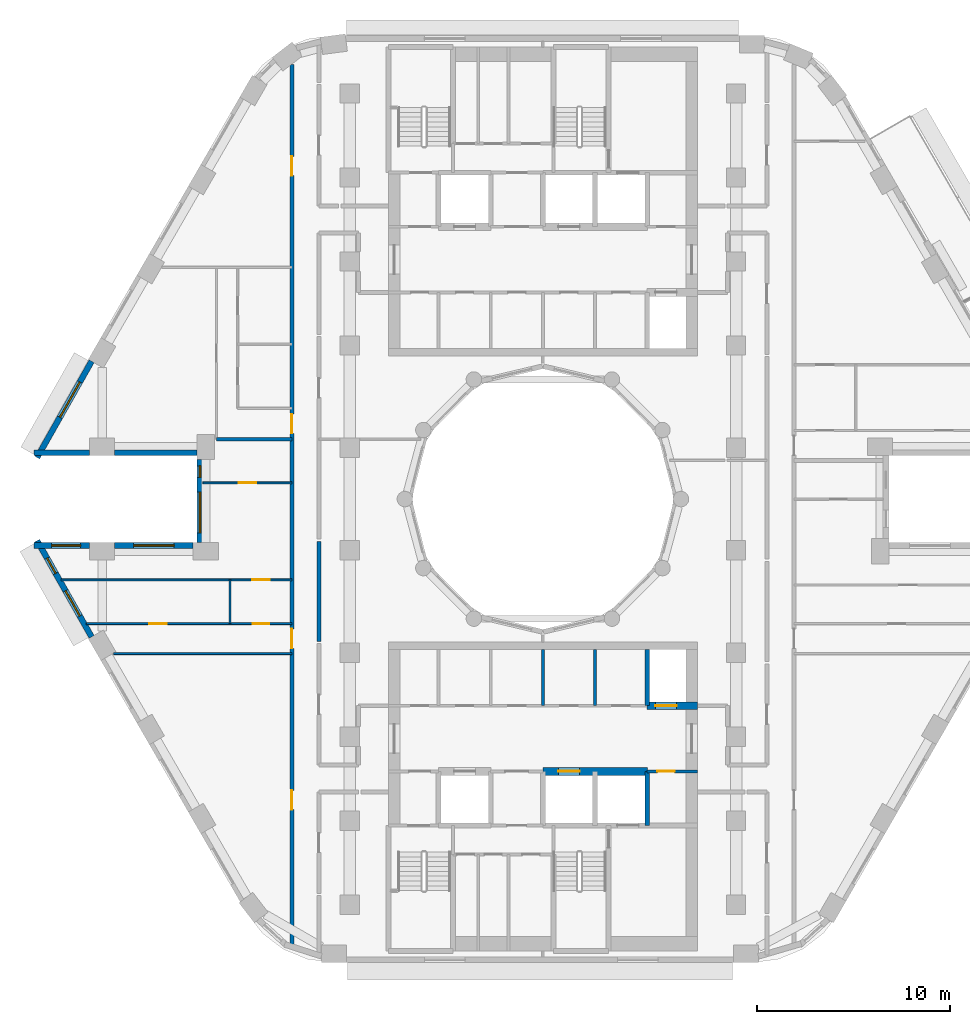
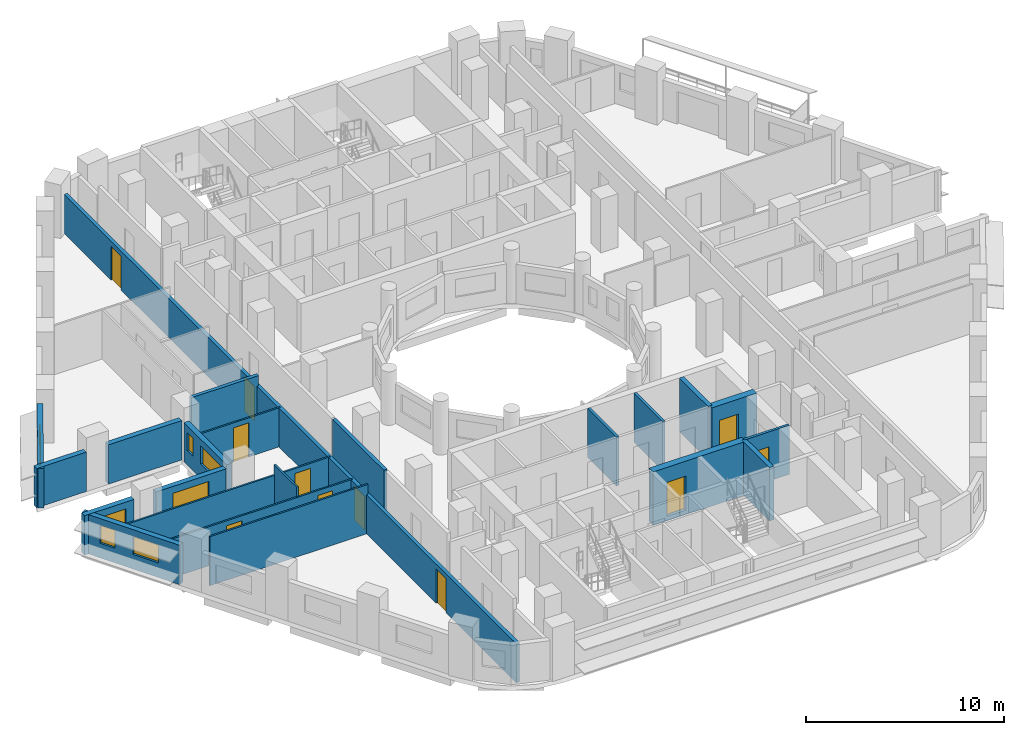
# One storey, part 4 of 14: 22 walls, 11 doors, 7 windows, 18 openings.
"""IFC4 building model written with IfcOpenShell, lengths in metres."""

from ifc_helpers import new_model, si_unit, direction, frame, frame_2d, origin, place, context, subcontext, project, spatial, rectangle, extrude, material, layer, layer_set, type_object, element, fill, save


model = new_model("IFC4")

# Units and contexts
model_context = context("Model", 3, precision=1e-05, world=origin(), true_north=direction((0.0, 1.0)))
body_context = subcontext(model_context, "Body", "Model", "MODEL_VIEW")
ifc_project = project(units=[si_unit("LENGTHUNIT", "METRE"), si_unit("AREAUNIT", "SQUARE_METRE"), si_unit("VOLUMEUNIT", "CUBIC_METRE"), si_unit("PLANEANGLEUNIT", "RADIAN"), si_unit("MASSUNIT", "GRAM", prefix="KILO")], contexts=[model_context])

# Site, building, storey
site_placement = place(None, origin())
site = spatial("IfcSite", under=ifc_project, at=site_placement, CompositionType="ELEMENT")
building_placement = place(site_placement, origin())
building = spatial("IfcBuilding", under=site, at=building_placement, Name="Nakaniwa Court", CompositionType="ELEMENT")
storey_placement = place(building_placement, frame((0.0, 0.0, 163.5)))
storey = spatial("IfcBuildingStorey", under=building, at=storey_placement, Name="L43", CompositionType="ELEMENT", Elevation=163.5)

# Wall
ifc_material_1 = material(Name="Acoustic double stud partition")
ifc_layer_1 = layer(ifc_material_1, 0.199951171875)
ifc_layer_set_1 = layer_set([ifc_layer_1], Name="Acoustic double stud partition")
wall_type_1 = type_object("IfcWallType", Name="Acoustic double stud partition 200", PredefinedType="PARTITIONING", material=ifc_layer_set_1)
wall_1_placement = place(storey_placement, frame((68.39990234375, 72.627197265625, 0.0), z_axis=(0.0, 0.0, 1.0), x_axis=(0.0, 1.0, 0.0)))
element("IfcWall", 1, at=wall_1_placement, inside=storey, type_object=wall_type_1, Name="Partition PW-105", PredefinedType="PARTITIONING", context=body_context, shape_type="SweptSolid", body=[
    extrude(rectangle(XDim=5.185546875, YDim=0.199951171875, at=frame_2d((2.5927734375, 0.0))), origin(), (0.0, 0.0, 1.0), 3.02490234375),
])

# Wall, openings, doors
wall_2_placement = place(storey_placement, frame((67.0, 56.833251953125, 0.0), z_axis=(0.0, 0.0, 1.0), x_axis=(0.0, 1.0, 0.0)))
wall_2 = element("IfcWall", 2, at=wall_2_placement, inside=storey, type_object=wall_type_1, Name="Partition PW-110", PredefinedType="PARTITIONING", context=body_context, shape_type="SweptSolid", body=[
    extrude(rectangle(XDim=45.660888671875, YDim=0.199951171875, at=frame_2d((22.83056640625, 0.0))), origin(), (0.0, 0.0, 1.0), 2.405029296875),
])
opening_1_placement = place(wall_2_placement, frame((7.083984375, 0.0, 0.0)))
opening_1 = element("IfcOpeningElement", 3, at=opening_1_placement, cuts=wall_2, Name="Opening D-02-05", PredefinedType="OPENING", context=body_context, shape_type="SweptSolid", body=[
    extrude(rectangle(XDim=1.0, YDim=2.10009765625, at=frame_2d((0.5, 1.050048828125))), frame((0.0, 0.10986328125, 0.0), z_axis=(0.0, -1.0, 0.0), x_axis=(1.0, 0.0, 0.0)), (0.0, 0.0, 1.0), 0.219970703125),
])
opening_2_placement = place(wall_2_placement, frame((15.44189453125, 0.0, 0.0)))
opening_2 = element("IfcOpeningElement", 4, at=opening_2_placement, cuts=wall_2, Name="Opening D-01-03", PredefinedType="OPENING", context=body_context, shape_type="SweptSolid", body=[
    extrude(rectangle(XDim=1.0, YDim=2.10009765625, at=frame_2d((0.5, 1.050048828125))), frame((0.0, 0.10986328125, 0.0), z_axis=(0.0, -1.0, 0.0), x_axis=(1.0, 0.0, 0.0)), (0.0, 0.0, 1.0), 0.219970703125),
])
opening_3_placement = place(wall_2_placement, frame((26.56689453125, 0.0, 0.0)))
opening_3 = element("IfcOpeningElement", 5, at=opening_3_placement, cuts=wall_2, Name="Opening D-01-04", PredefinedType="OPENING", context=body_context, shape_type="SweptSolid", body=[
    extrude(rectangle(XDim=1.0, YDim=2.10009765625, at=frame_2d((0.5, 1.050048828125))), frame((0.0, 0.10986328125, 0.0), z_axis=(0.0, -1.0, 0.0), x_axis=(1.0, 0.0, 0.0)), (0.0, 0.0, 1.0), 0.219970703125),
])
opening_4_placement = place(wall_2_placement, frame((39.912109375, 0.0, 0.0)))
opening_4 = element("IfcOpeningElement", 6, at=opening_4_placement, cuts=wall_2, Name="Opening D-02-10", PredefinedType="OPENING", context=body_context, shape_type="SweptSolid", body=[
    extrude(rectangle(XDim=1.0, YDim=2.10009765625, at=frame_2d((0.5, 1.050048828125))), frame((0.0, 0.10986328125, 0.0), z_axis=(0.0, -1.0, 0.0), x_axis=(1.0, 0.0, 0.0)), (0.0, 0.0, 1.0), 0.219970703125),
])
ifc_material_2 = material(Name="Solid core timber door set, black veneer", Category="wood")
door_type_1 = type_object("IfcDoorType", Name="Flat entrance door 1000", OperationType="NOTDEFINED", PredefinedType="DOOR", material=ifc_material_2)
door_1_placement = place(opening_2_placement, origin())
door_1 = element("IfcDoor", 7, at=door_1_placement, inside=storey, type_object=door_type_1, Name="Door D-01-03 L43-044", OperationType="SINGLE_SWING_LEFT", OverallHeight=2.10009765625, OverallWidth=1.0, PredefinedType="DOOR", context=body_context, shape_type="SweptSolid", body=[
    extrude(rectangle(XDim=1.0, YDim=2.10009765625, at=frame_2d((0.5, 1.050048828125))), frame((0.0, 0.02490234375, 0.0), z_axis=(0.0, -1.0, 0.0), x_axis=(1.0, 0.0, 0.0)), (0.0, 0.0, 1.0), 0.050048828125),
])
fill(opening_2, door_1)
door_2_placement = place(opening_3_placement, origin())
door_2 = element("IfcDoor", 8, at=door_2_placement, inside=storey, type_object=door_type_1, Name="Door D-01-04 L43-049", OperationType="SINGLE_SWING_RIGHT", OverallHeight=2.10009765625, OverallWidth=1.0, PredefinedType="DOOR", context=body_context, shape_type="SweptSolid", body=[
    extrude(rectangle(XDim=1.0, YDim=2.10009765625, at=frame_2d((0.5, 1.050048828125))), frame((0.0, 0.02490234375, 0.0), z_axis=(0.0, -1.0, 0.0), x_axis=(1.0, 0.0, 0.0)), (0.0, 0.0, 1.0), 0.050048828125),
])
fill(opening_3, door_2)
door_type_2 = type_object("IfcDoorType", Name="Internal door 1000", OperationType="NOTDEFINED", PredefinedType="DOOR", material=ifc_material_2)
door_3_placement = place(opening_1_placement, origin())
door_3 = element("IfcDoor", 9, at=door_3_placement, inside=storey, type_object=door_type_2, Name="Door D-02-05 L43-042", OperationType="SINGLE_SWING_LEFT", OverallHeight=2.10009765625, OverallWidth=1.0, PredefinedType="DOOR", context=body_context, shape_type="SweptSolid", body=[
    extrude(rectangle(XDim=1.0, YDim=2.10009765625, at=frame_2d((0.5, 1.050048828125))), frame((0.0, 0.02490234375, 0.0), z_axis=(0.0, -1.0, 0.0), x_axis=(1.0, 0.0, 0.0)), (0.0, 0.0, 1.0), 0.050048828125),
])
fill(opening_1, door_3)
door_4_placement = place(opening_4_placement, origin())
door_4 = element("IfcDoor", 10, at=door_4_placement, inside=storey, type_object=door_type_2, Name="Door D-02-10 L43-056", OperationType="SINGLE_SWING_LEFT", OverallHeight=2.10009765625, OverallWidth=1.0, PredefinedType="DOOR", context=body_context, shape_type="SweptSolid", body=[
    extrude(rectangle(XDim=1.0, YDim=2.10009765625, at=frame_2d((0.5, 1.050048828125))), frame((0.0, 0.02490234375, 0.0), z_axis=(0.0, -1.0, 0.0), x_axis=(1.0, 0.0, 0.0)), (0.0, 0.0, 1.0), 0.050048828125),
])
fill(opening_4, door_4)

# Wall
wall_3_placement = place(storey_placement, frame((63.095947265625, 83.10009765625, 0.0), z_axis=(0.0, 0.0, 1.0), x_axis=(1.0, 0.0, 0.0)))
element("IfcWall", 11, at=wall_3_placement, inside=storey, type_object=wall_type_1, Name="Partition PW-137", PredefinedType="PARTITIONING", context=body_context, shape_type="SweptSolid", body=[
    extrude(rectangle(XDim=3.903076171875, YDim=0.199951171875, at=frame_2d((1.95166015625, 0.0))), origin(), (0.0, 0.0, 1.0), 3.02490234375),
])

# Wall, opening, window
ifc_material_3 = material(Name="Charcoal ceramic cladding")
ifc_layer_2 = layer(ifc_material_3, 0.02, Name="Ceramic cladding")
ifc_material_4 = material(Name="Ventilated air cavity")
ifc_layer_3 = layer(ifc_material_4, 0.04, ventilated=True, Name="Ventilated cavity")
ifc_material_5 = material(Name="Mineral wool insulation")
ifc_layer_4 = layer(ifc_material_5, 0.1, Name="Insulation")
ifc_material_6 = material(Name="Cement bonded sheathing board")
ifc_layer_5 = layer(ifc_material_6, 0.012, Name="Sheathing")
ifc_material_7 = material(Name="Cold-formed galvanised stud frame with mineral wool infill")
ifc_layer_6 = layer(ifc_material_7, 0.1, Name="Stud frame")
ifc_material_8 = material(Name="Fire-rated gypsum plasterboard lining")
ifc_layer_7 = layer(ifc_material_8, 0.028, Name="Lining")
ifc_layer_set_2 = layer_set([ifc_layer_2, ifc_layer_3, ifc_layer_4, ifc_layer_5, ifc_layer_6, ifc_layer_7], Name="Charcoal ceramic faced external wall system")
wall_type_2 = type_object("IfcWallType", Name="Black ceramic faced external wall 300", PredefinedType="SOLIDWALL", material=ifc_layer_set_2)
wall_4_placement = place(storey_placement, frame((56.63427734375, 87.13720703125, 0.0), z_axis=(0.0, 0.0, 1.0), x_axis=(-0.492498306264, -0.87031340236, 0.0)))
wall_4 = element("IfcWall", 12, at=wall_4_placement, inside=storey, type_object=wall_type_2, Name="L43 external wall 14", PredefinedType="SOLIDWALL", context=body_context, shape_type="SweptSolid", body=[
    extrude(rectangle(XDim=5.7265625, YDim=0.300048828125, at=frame_2d((2.86328125, 0.0))), origin(), (0.0, 0.0, 1.0), 2.425048828125),
])
opening_5_placement = place(wall_4_placement, frame((1.23388671875, 0.0, 0.89990234375)))
opening_5 = element("IfcOpeningElement", 13, at=opening_5_placement, cuts=wall_4, Name="Opening W7.12", PredefinedType="OPENING", context=body_context, shape_type="SweptSolid", body=[
    extrude(rectangle(XDim=2.10009765625, YDim=1.10009765625, at=frame_2d((1.050048828125, 0.550048828125))), frame((0.0, 0.159912109375, 0.0), z_axis=(0.0, -1.0, 0.0), x_axis=(1.0, 0.0, 0.0)), (0.0, 0.0, 1.0), 0.320068359375),
])
ifc_material_9 = material(Name="Black anodised aluminium frame with dark low-E laminated double glazing", Category="aluminium")
window_type_1 = type_object("IfcWindowType", Name="Dark glass window 2100x1100 sill 900", PartitioningType="SINGLE_PANEL", PredefinedType="WINDOW", material=ifc_material_9)
window_1_placement = place(opening_5_placement, origin())
window_1 = element("IfcWindow", 14, at=window_1_placement, inside=storey, type_object=window_type_1, Name="L43 living window 14-0", OverallHeight=1.10009765625, OverallWidth=2.10009765625, PartitioningType="SINGLE_PANEL", PredefinedType="WINDOW", context=body_context, shape_type="SweptSolid", body=[
    extrude(rectangle(XDim=2.10009765625, YDim=1.10009765625, at=frame_2d((1.050048828125, 0.550048828125))), frame((0.0, 0.030029296875, 0.0), z_axis=(0.0, -1.0, 0.0), x_axis=(1.0, 0.0, 0.0)), (0.0, 0.0, 1.0), 0.06005859375),
])
fill(opening_5, window_1)

# Walls
wall_5_placement = place(storey_placement, frame((53.643310546875, 82.39990234375, 0.0), z_axis=(0.0, 0.0, 1.0), x_axis=(1.0, 0.0, 0.0)))
element("IfcWall", 15, at=wall_5_placement, inside=storey, type_object=wall_type_2, Name="L43 external wall 15", PredefinedType="SOLIDWALL", context=body_context, shape_type="SweptSolid", body=[
    extrude(rectangle(XDim=2.8876953125, YDim=0.300048828125, at=frame_2d((1.44384765625, 0.0))), origin(), (0.0, 0.0, 1.0), 2.425048828125),
])
wall_6_placement = place(storey_placement, frame((57.822998046875, 82.39990234375, 0.0), z_axis=(0.0, 0.0, 1.0), x_axis=(1.0, 0.0, 0.0)))
element("IfcWall", 16, at=wall_6_placement, inside=storey, type_object=wall_type_2, Name="L43 external wall 16", PredefinedType="SOLIDWALL", context=body_context, shape_type="SweptSolid", body=[
    extrude(rectangle(XDim=4.272705078125, YDim=0.300048828125, at=frame_2d((2.13623046875, 0.0))), origin(), (0.0, 0.0, 1.0), 2.425048828125),
])

# Wall, openings, windows
wall_7_placement = place(storey_placement, frame((62.24169921875, 82.053955078125, 0.0), z_axis=(0.0, 0.0, 1.0), x_axis=(0.0, -1.0, 0.0)))
wall_7 = element("IfcWall", 17, at=wall_7_placement, inside=storey, type_object=wall_type_2, Name="L43 external wall 17", PredefinedType="SOLIDWALL", context=body_context, shape_type="SweptSolid", body=[
    extrude(rectangle(XDim=4.307861328125, YDim=0.300048828125, at=frame_2d((2.15380859375, 0.0))), origin(), (0.0, 0.0, 1.0), 2.425048828125),
])
opening_6_placement = place(wall_7_placement, frame((0.3330078125, 0.0, 0.89990234375)))
opening_6 = element("IfcOpeningElement", 18, at=opening_6_placement, cuts=wall_7, Name="Opening W8.13", PredefinedType="OPENING", context=body_context, shape_type="SweptSolid", body=[
    extrude(rectangle(XDim=0.60009765625, YDim=1.10009765625, at=frame_2d((0.300048828125, 0.550048828125))), frame((0.0, 0.159912109375, 0.0), z_axis=(0.0, -1.0, 0.0), x_axis=(1.0, 0.0, 0.0)), (0.0, 0.0, 1.0), 0.320068359375),
])
opening_7_placement = place(wall_7_placement, frame((1.699951171875, 0.0, 0.89990234375)))
opening_7 = element("IfcOpeningElement", 19, at=opening_7_placement, cuts=wall_7, Name="Opening W7.14", PredefinedType="OPENING", context=body_context, shape_type="SweptSolid", body=[
    extrude(rectangle(XDim=2.10009765625, YDim=1.10009765625, at=frame_2d((1.050048828125, 0.550048828125))), frame((0.0, 0.159912109375, 0.0), z_axis=(0.0, -1.0, 0.0), x_axis=(1.0, 0.0, 0.0)), (0.0, 0.0, 1.0), 0.320068359375),
])
window_2_placement = place(opening_7_placement, origin())
window_2 = element("IfcWindow", 20, at=window_2_placement, inside=storey, type_object=window_type_1, Name="L43 living window 17-1", OverallHeight=1.10009765625, OverallWidth=2.10009765625, PartitioningType="SINGLE_PANEL", PredefinedType="WINDOW", context=body_context, shape_type="SweptSolid", body=[
    extrude(rectangle(XDim=2.10009765625, YDim=1.10009765625, at=frame_2d((1.050048828125, 0.550048828125))), frame((0.0, 0.030029296875, 0.0), z_axis=(0.0, -1.0, 0.0), x_axis=(1.0, 0.0, 0.0)), (0.0, 0.0, 1.0), 0.06005859375),
])
fill(opening_7, window_2)
window_type_2 = type_object("IfcWindowType", Name="Dark glass window 600x1100 sill 900", PartitioningType="SINGLE_PANEL", PredefinedType="WINDOW", material=ifc_material_9)
window_3_placement = place(opening_6_placement, origin())
window_3 = element("IfcWindow", 21, at=window_3_placement, inside=storey, type_object=window_type_2, Name="L43 habitable room window 17-0", OverallHeight=1.10009765625, OverallWidth=0.60009765625, PartitioningType="SINGLE_PANEL", PredefinedType="WINDOW", context=body_context, shape_type="SweptSolid", body=[
    extrude(rectangle(XDim=0.60009765625, YDim=1.10009765625, at=frame_2d((0.300048828125, 0.550048828125))), frame((0.0, 0.030029296875, 0.0), z_axis=(0.0, -1.0, 0.0), x_axis=(1.0, 0.0, 0.0)), (0.0, 0.0, 1.0), 0.06005859375),
])
fill(opening_6, window_3)

# Wall, opening, window
wall_8_placement = place(storey_placement, frame((61.8955078125, 77.60009765625, 0.0), z_axis=(0.0, 0.0, 1.0), x_axis=(-1.0, 0.0, 0.0)))
wall_8 = element("IfcWall", 22, at=wall_8_placement, inside=storey, type_object=wall_type_2, Name="L43 external wall 18", PredefinedType="SOLIDWALL", context=body_context, shape_type="SweptSolid", body=[
    extrude(rectangle(XDim=4.072509765625, YDim=0.300048828125, at=frame_2d((2.0361328125, 0.0))), origin(), (0.0, 0.0, 1.0), 2.425048828125),
])
opening_8_placement = place(wall_8_placement, frame((0.986083984375, 0.0, 0.89990234375)))
opening_8 = element("IfcOpeningElement", 23, at=opening_8_placement, cuts=wall_8, Name="Opening W7.15", PredefinedType="OPENING", context=body_context, shape_type="SweptSolid", body=[
    extrude(rectangle(XDim=2.10009765625, YDim=1.10009765625, at=frame_2d((1.050048828125, 0.550048828125))), frame((0.0, 0.159912109375, 0.0), z_axis=(0.0, -1.0, 0.0), x_axis=(1.0, 0.0, 0.0)), (0.0, 0.0, 1.0), 0.320068359375),
])
window_4_placement = place(opening_8_placement, origin())
window_4 = element("IfcWindow", 24, at=window_4_placement, inside=storey, type_object=window_type_1, Name="L43 living window 18-0", OverallHeight=1.10009765625, OverallWidth=2.10009765625, PartitioningType="SINGLE_PANEL", PredefinedType="WINDOW", context=body_context, shape_type="SweptSolid", body=[
    extrude(rectangle(XDim=2.10009765625, YDim=1.10009765625, at=frame_2d((1.050048828125, 0.550048828125))), frame((0.0, 0.030029296875, 0.0), z_axis=(0.0, -1.0, 0.0), x_axis=(1.0, 0.0, 0.0)), (0.0, 0.0, 1.0), 0.06005859375),
])
fill(opening_8, window_4)

wall_9_placement = place(storey_placement, frame((56.531005859375, 77.60009765625, 0.0), z_axis=(0.0, 0.0, 1.0), x_axis=(-1.0, 0.0, 0.0)))
wall_9 = element("IfcWall", 25, at=wall_9_placement, inside=storey, type_object=wall_type_2, Name="L43 external wall 19", PredefinedType="SOLIDWALL", context=body_context, shape_type="SweptSolid", body=[
    extrude(rectangle(XDim=2.8876953125, YDim=0.300048828125, at=frame_2d((1.44384765625, 0.0))), origin(), (0.0, 0.0, 1.0), 2.425048828125),
])
opening_9_placement = place(wall_9_placement, frame((0.468994140625, 0.0, 0.89990234375)))
opening_9 = element("IfcOpeningElement", 26, at=opening_9_placement, cuts=wall_9, Name="Opening W5.16", PredefinedType="OPENING", context=body_context, shape_type="SweptSolid", body=[
    extrude(rectangle(XDim=1.5, YDim=1.10009765625, at=frame_2d((0.75, 0.550048828125))), frame((0.0, 0.159912109375, 0.0), z_axis=(0.0, -1.0, 0.0), x_axis=(1.0, 0.0, 0.0)), (0.0, 0.0, 1.0), 0.320068359375),
])
window_type_3 = type_object("IfcWindowType", Name="Dark glass window 1500x1100 sill 900", PartitioningType="SINGLE_PANEL", PredefinedType="WINDOW", material=ifc_material_9)
window_5_placement = place(opening_9_placement, origin())
window_5 = element("IfcWindow", 27, at=window_5_placement, inside=storey, type_object=window_type_3, Name="L43 living window 19-0", OverallHeight=1.10009765625, OverallWidth=1.5, PartitioningType="SINGLE_PANEL", PredefinedType="WINDOW", context=body_context, shape_type="SweptSolid", body=[
    extrude(rectangle(XDim=1.5, YDim=1.10009765625, at=frame_2d((0.75, 0.550048828125))), frame((0.0, 0.030029296875, 0.0), z_axis=(0.0, -1.0, 0.0), x_axis=(1.0, 0.0, 0.0)), (0.0, 0.0, 1.0), 0.06005859375),
])
fill(opening_9, window_5)

# Wall, openings, windows
wall_10_placement = place(storey_placement, frame((53.81396484375, 77.8466796875, 0.0), z_axis=(0.0, 0.0, 1.0), x_axis=(0.492498306264, -0.87031340236, 0.0)))
wall_10 = element("IfcWall", 28, at=wall_10_placement, inside=storey, type_object=wall_type_2, Name="L43 external wall 20", PredefinedType="SOLIDWALL", context=body_context, shape_type="SweptSolid", body=[
    extrude(rectangle(XDim=5.7265625, YDim=0.300048828125, at=frame_2d((2.86328125, 0.0))), origin(), (0.0, 0.0, 1.0), 2.425048828125),
])
opening_10_placement = place(wall_10_placement, frame((1.043212890625, 0.0, 0.89990234375)))
opening_10 = element("IfcOpeningElement", 29, at=opening_10_placement, cuts=wall_10, Name="Opening W9.17", PredefinedType="OPENING", context=body_context, shape_type="SweptSolid", body=[
    extrude(rectangle(XDim=0.89990234375, YDim=1.10009765625, at=frame_2d((0.449951171875, 0.550048828125))), frame((0.0, 0.159912109375, 0.0), z_axis=(0.0, -1.0, 0.0), x_axis=(1.0, 0.0, 0.0)), (0.0, 0.0, 1.0), 0.320068359375),
])
opening_11_placement = place(wall_10_placement, frame((2.983642578125, 0.0, 0.89990234375)))
opening_11 = element("IfcOpeningElement", 30, at=opening_11_placement, cuts=wall_10, Name="Opening W5.18", PredefinedType="OPENING", context=body_context, shape_type="SweptSolid", body=[
    extrude(rectangle(XDim=1.5, YDim=1.10009765625, at=frame_2d((0.75, 0.550048828125))), frame((0.0, 0.159912109375, 0.0), z_axis=(0.0, -1.0, 0.0), x_axis=(1.0, 0.0, 0.0)), (0.0, 0.0, 1.0), 0.320068359375),
])
window_6_placement = place(opening_11_placement, origin())
window_6 = element("IfcWindow", 31, at=window_6_placement, inside=storey, type_object=window_type_3, Name="L43 habitable room window 20-1", OverallHeight=1.10009765625, OverallWidth=1.5, PartitioningType="SINGLE_PANEL", PredefinedType="WINDOW", context=body_context, shape_type="SweptSolid", body=[
    extrude(rectangle(XDim=1.5, YDim=1.10009765625, at=frame_2d((0.75, 0.550048828125))), frame((0.0, 0.030029296875, 0.0), z_axis=(0.0, -1.0, 0.0), x_axis=(1.0, 0.0, 0.0)), (0.0, 0.0, 1.0), 0.06005859375),
])
fill(opening_11, window_6)
window_type_4 = type_object("IfcWindowType", Name="Dark glass window 900x1100 sill 900", PartitioningType="SINGLE_PANEL", PredefinedType="WINDOW", material=ifc_material_9)
window_7_placement = place(opening_10_placement, origin())
window_7 = element("IfcWindow", 32, at=window_7_placement, inside=storey, type_object=window_type_4, Name="L43 living window 20-0", OverallHeight=1.10009765625, OverallWidth=0.89990234375, PartitioningType="SINGLE_PANEL", PredefinedType="WINDOW", context=body_context, shape_type="SweptSolid", body=[
    extrude(rectangle(XDim=0.89990234375, YDim=1.10009765625, at=frame_2d((0.449951171875, 0.550048828125))), frame((0.0, 0.030029296875, 0.0), z_axis=(0.0, -1.0, 0.0), x_axis=(1.0, 0.0, 0.0)), (0.0, 0.0, 1.0), 0.06005859375),
])
fill(opening_10, window_7)

# Walls
ifc_material_10 = material(Name="Blockwork partition", Category="masonry")
ifc_layer_8 = layer(ifc_material_10, 0.14990234375)
ifc_layer_set_3 = layer_set([ifc_layer_8], Name="Blockwork partition")
wall_type_3 = type_object("IfcWallType", Name="Blockwork partition 150", PredefinedType="PARTITIONING", material=ifc_layer_set_3)
for number, where, z_axis, x_axis, name in (
    (33, (80.0, 69.300048828125, 0.0), (0.0, 0.0, 1.0), (0.0, 1.0, 0.0), "Partition PW-045"),
    (34, (82.699951171875, 69.300048828125, 0.0), (0.0, 0.0, 1.0), (0.0, 1.0, 0.0), "Partition PW-046"),
):
    element("IfcWall", number, at=place(storey_placement, frame(where, z_axis=z_axis, x_axis=x_axis)), inside=storey, type_object=wall_type_3, Name=name, PredefinedType="PARTITIONING", context=body_context, shape_type="SweptSolid", body=[
        extrude(rectangle(XDim=2.89990234375, YDim=0.14990234375, at=frame_2d((1.449951171875, 0.0))), origin(), (0.0, 0.0, 1.0), 3.02490234375),
    ])

# Wall, opening, door
wall_11_placement = place(storey_placement, frame((88.0, 65.89990234375, 0.0), z_axis=(0.0, 0.0, 1.0), x_axis=(-1.0, 0.0, 0.0)))
wall_11 = element("IfcWall", 35, at=wall_11_placement, inside=storey, type_object=wall_type_3, Name="Partition PW-049", PredefinedType="PARTITIONING", context=body_context, shape_type="SweptSolid", body=[
    extrude(rectangle(XDim=2.60302734375, YDim=0.14990234375, at=frame_2d((1.301513671875, 0.0))), origin(), (0.0, 0.0, 1.0), 3.02490234375),
])
opening_12_placement = place(wall_11_placement, frame((1.175048828125, 0.0, 0.0)))
opening_12 = element("IfcOpeningElement", 36, at=opening_12_placement, cuts=wall_11, Name="Opening D-05-15", PredefinedType="OPENING", context=body_context, shape_type="SweptSolid", body=[
    extrude(rectangle(XDim=0.89990234375, YDim=2.10009765625, at=frame_2d((0.449951171875, 1.050048828125))), frame((0.0, 0.0849609375, 0.0), z_axis=(0.0, -1.0, 0.0), x_axis=(1.0, 0.0, 0.0)), (0.0, 0.0, 1.0), 0.169921875),
])
ifc_material_11 = material(Name="Fire rated steel door set", Category="steel")
door_type_3 = type_object("IfcDoorType", Name="Service room door 900", OperationType="NOTDEFINED", PredefinedType="DOOR", material=ifc_material_11)
door_5_placement = place(opening_12_placement, origin())
door_5 = element("IfcDoor", 37, at=door_5_placement, inside=storey, type_object=door_type_3, Name="Door D-05-15 L43-022", OperationType="SINGLE_SWING_LEFT", OverallHeight=2.10009765625, OverallWidth=0.89990234375, PredefinedType="DOOR", context=body_context, shape_type="SweptSolid", body=[
    extrude(rectangle(XDim=0.89990234375, YDim=2.10009765625, at=frame_2d((0.449951171875, 1.050048828125))), frame((0.0, 0.02490234375, 0.0), z_axis=(0.0, -1.0, 0.0), x_axis=(1.0, 0.0, 0.0)), (0.0, 0.0, 1.0), 0.050048828125),
])
fill(opening_12, door_5)

ifc_material_12 = material(Name="Concrete C80/100", Category="concrete")
ifc_layer_9 = layer(ifc_material_12, 0.39990234375)
ifc_layer_set_4 = layer_set([ifc_layer_9], Name="Concrete C80/100")
wall_type_4 = type_object("IfcWallType", Name="Concrete core spine wall 400 C80", PredefinedType="SHEAR", material=ifc_layer_set_4)
wall_12_placement = place(storey_placement, frame((85.39990234375, 69.300048828125, -0.27490234375), z_axis=(0.0, 0.0, 1.0), x_axis=(1.0, 0.0, 0.0)))
wall_12 = element("IfcWall", 38, at=wall_12_placement, inside=storey, type_object=wall_type_4, Name="Core wall SW-42", PredefinedType="SHEAR", context=body_context, shape_type="SweptSolid", body=[
    extrude(rectangle(XDim=2.60009765625, YDim=0.39990234375, at=frame_2d((1.300048828125, 0.0))), origin(), (0.0, 0.0, 1.0), 3.2998046875),
])
opening_13_placement = place(wall_12_placement, frame((0.425048828125, 0.0, 0.27490234375)))
opening_13 = element("IfcOpeningElement", 39, at=opening_13_placement, cuts=wall_12, Name="Opening LD05", PredefinedType="OPENING", context=body_context, shape_type="SweptSolid", body=[
    extrude(rectangle(XDim=1.10009765625, YDim=2.10009765625, at=frame_2d((0.550048828125, 1.050048828125))), frame((0.0, 0.2099609375, 0.0), z_axis=(0.0, -1.0, 0.0), x_axis=(1.0, 0.0, 0.0)), (0.0, 0.0, 1.0), 0.419921875),
])
ifc_material_13 = material(Name="Stainless steel sliding lift landing door", Category="steel")
door_type_4 = type_object("IfcDoorType", Name="Lift landing door 1100", OperationType="NOTDEFINED", PredefinedType="DOOR", material=ifc_material_13)
door_6_placement = place(opening_13_placement, origin())
door_6 = element("IfcDoor", 40, at=door_6_placement, inside=storey, type_object=door_type_4, Name="Lift landing door LD05 L43-005", OperationType="SLIDING_TO_LEFT", OverallHeight=2.10009765625, OverallWidth=1.10009765625, PredefinedType="DOOR", context=body_context, shape_type="SweptSolid", body=[
    extrude(rectangle(XDim=1.10009765625, YDim=2.10009765625, at=frame_2d((0.550048828125, 1.050048828125))), frame((0.0, 0.02490234375, 0.0), z_axis=(0.0, -1.0, 0.0), x_axis=(1.0, 0.0, 0.0)), (0.0, 0.0, 1.0), 0.050048828125),
])
fill(opening_13, door_6)

wall_13_placement = place(storey_placement, frame((79.9970703125, 65.89990234375, -0.27490234375), z_axis=(0.0, 0.0, 1.0), x_axis=(1.0, 0.0, 0.0)))
wall_13 = element("IfcWall", 41, at=wall_13_placement, inside=storey, type_object=wall_type_4, Name="Core wall SW-51", PredefinedType="SHEAR", context=body_context, shape_type="SweptSolid", body=[
    extrude(rectangle(XDim=5.406005859375, YDim=0.39990234375, at=frame_2d((2.703125, 0.0))), origin(), (0.0, 0.0, 1.0), 3.2998046875),
])
opening_14_placement = place(wall_13_placement, frame((0.802978515625, 0.0, 0.27490234375)))
opening_14 = element("IfcOpeningElement", 42, at=opening_14_placement, cuts=wall_13, Name="Opening LD07", PredefinedType="OPENING", context=body_context, shape_type="SweptSolid", body=[
    extrude(rectangle(XDim=1.10009765625, YDim=2.10009765625, at=frame_2d((0.550048828125, 1.050048828125))), frame((0.0, 0.2099609375, 0.0), z_axis=(0.0, -1.0, 0.0), x_axis=(1.0, 0.0, 0.0)), (0.0, 0.0, 1.0), 0.419921875),
])
door_7_placement = place(opening_14_placement, origin())
door_7 = element("IfcDoor", 43, at=door_7_placement, inside=storey, type_object=door_type_4, Name="Lift landing door LD07 L43-007", OperationType="SLIDING_TO_LEFT", OverallHeight=2.10009765625, OverallWidth=1.10009765625, PredefinedType="DOOR", context=body_context, shape_type="SweptSolid", body=[
    extrude(rectangle(XDim=1.10009765625, YDim=2.10009765625, at=frame_2d((0.550048828125, 1.050048828125))), frame((0.0, 0.02490234375, 0.0), z_axis=(0.0, -1.0, 0.0), x_axis=(1.0, 0.0, 0.0)), (0.0, 0.0, 1.0), 0.050048828125),
])
fill(opening_14, door_7)

# Walls
ifc_layer_10 = layer(ifc_material_12, 0.25)
ifc_layer_set_5 = layer_set([ifc_layer_10], Name="Concrete C80/100")
wall_type_5 = type_object("IfcWallType", Name="Concrete shaft wall 250 C80", PredefinedType="SHEAR", material=ifc_layer_set_5)
wall_14_placement = place(storey_placement, frame((85.39990234375, 63.10009765625, -0.27490234375), z_axis=(0.0, 0.0, 1.0), x_axis=(0.0, 1.0, 0.0)))
element("IfcWall", 44, at=wall_14_placement, inside=storey, type_object=wall_type_5, Name="Core wall SW-40", PredefinedType="SHEAR", context=body_context, shape_type="SweptSolid", body=[
    extrude(rectangle(XDim=2.7998046875, YDim=0.25, at=frame_2d((1.39990234375, 0.0))), origin(), (0.0, 0.0, 1.0), 3.2998046875),
])
wall_15_placement = place(storey_placement, frame((85.39990234375, 69.300048828125, -0.27490234375), z_axis=(0.0, 0.0, 1.0), x_axis=(0.0, 1.0, 0.0)))
element("IfcWall", 45, at=wall_15_placement, inside=storey, type_object=wall_type_5, Name="Core wall SW-41", PredefinedType="SHEAR", context=body_context, shape_type="SweptSolid", body=[
    extrude(rectangle(XDim=2.89990234375, YDim=0.25, at=frame_2d((1.449951171875, 0.0))), origin(), (0.0, 0.0, 1.0), 3.2998046875),
])
ifc_material_14 = material(Name="Single stud plasterboard partition")
ifc_layer_11 = layer(ifc_material_14, 0.10009765625)
ifc_layer_set_6 = layer_set([ifc_layer_11], Name="Single stud plasterboard partition")
wall_type_6 = type_object("IfcWallType", Name="Single stud plasterboard partition 100", PredefinedType="PARTITIONING", material=ifc_layer_set_6)
wall_16_placement = place(storey_placement, frame((57.771728515625, 72.0, 0.0), z_axis=(0.0, 0.0, 1.0), x_axis=(1.0, 0.0, 0.0)))
element("IfcWall", 46, at=wall_16_placement, inside=storey, type_object=wall_type_6, Name="Partition PW-119", PredefinedType="PARTITIONING", context=body_context, shape_type="SweptSolid", body=[
    extrude(rectangle(XDim=9.22705078125, YDim=0.10009765625, at=frame_2d((4.613525390625, 0.0))), origin(), (0.0, 0.0, 1.0), 3.02490234375),
])

# Wall, openings, doors
wall_17_placement = place(storey_placement, frame((56.357421875, 73.550048828125, 0.0), z_axis=(0.0, 0.0, 1.0), x_axis=(1.0, 0.0, 0.0)))
wall_17 = element("IfcWall", 47, at=wall_17_placement, inside=storey, type_object=wall_type_6, Name="Partition PW-123", PredefinedType="PARTITIONING", context=body_context, shape_type="SweptSolid", body=[
    extrude(rectangle(XDim=10.6416015625, YDim=0.10009765625, at=frame_2d((5.32080078125, 0.0))), origin(), (0.0, 0.0, 1.0), 2.405029296875),
])
opening_15_placement = place(wall_17_placement, frame((8.616943359375, 0.0, 0.0)))
opening_15 = element("IfcOpeningElement", 48, at=opening_15_placement, cuts=wall_17, Name="Opening D-03-03", PredefinedType="OPENING", context=body_context, shape_type="SweptSolid", body=[
    extrude(rectangle(XDim=0.85009765625, YDim=2.10009765625, at=frame_2d((0.425048828125, 1.050048828125))), frame((0.0, 0.06005859375, 0.0), z_axis=(0.0, -1.0, 0.0), x_axis=(1.0, 0.0, 0.0)), (0.0, 0.0, 1.0), 0.1201171875),
])
opening_16_placement = place(wall_17_placement, frame((3.27099609375, 0.0, 0.0)))
opening_16 = element("IfcOpeningElement", 49, at=opening_16_placement, cuts=wall_17, Name="Opening D-33-06", PredefinedType="OPENING", context=body_context, shape_type="SweptSolid", body=[
    extrude(rectangle(XDim=0.89990234375, YDim=2.10009765625, at=frame_2d((0.449951171875, 1.050048828125))), frame((0.0, 0.06005859375, 0.0), z_axis=(0.0, -1.0, 0.0), x_axis=(1.0, 0.0, 0.0)), (0.0, 0.0, 1.0), 0.1201171875),
])
ifc_material_15 = material(Name="Moisture sealed timber door set", Category="wood")
door_type_5 = type_object("IfcDoorType", Name="Bathroom door 850", OperationType="NOTDEFINED", PredefinedType="DOOR", material=ifc_material_15)
door_8_placement = place(opening_15_placement, origin())
door_8 = element("IfcDoor", 50, at=door_8_placement, inside=storey, type_object=door_type_5, Name="Door D-03-03 L43-045", OperationType="SINGLE_SWING_RIGHT", OverallHeight=2.10009765625, OverallWidth=0.85009765625, PredefinedType="DOOR", context=body_context, shape_type="SweptSolid", body=[
    extrude(rectangle(XDim=0.85009765625, YDim=2.10009765625, at=frame_2d((0.425048828125, 1.050048828125))), frame((0.0, 0.02490234375, 0.0), z_axis=(0.0, -1.0, 0.0), x_axis=(1.0, 0.0, 0.0)), (0.0, 0.0, 1.0), 0.050048828125),
])
fill(opening_15, door_8)
door_type_6 = type_object("IfcDoorType", Name="Internal door 900", OperationType="NOTDEFINED", PredefinedType="DOOR", material=ifc_material_2)
door_9_placement = place(opening_16_placement, origin())
door_9 = element("IfcDoor", 51, at=door_9_placement, inside=storey, type_object=door_type_6, Name="Door D-33-06 L43-046", OperationType="SINGLE_SWING_LEFT", OverallHeight=2.10009765625, OverallWidth=0.89990234375, PredefinedType="DOOR", context=body_context, shape_type="SweptSolid", body=[
    extrude(rectangle(XDim=0.89990234375, YDim=2.10009765625, at=frame_2d((0.449951171875, 1.050048828125))), frame((0.0, 0.02490234375, 0.0), z_axis=(0.0, -1.0, 0.0), x_axis=(1.0, 0.0, 0.0)), (0.0, 0.0, 1.0), 0.050048828125),
])
fill(opening_16, door_9)

# Wall
wall_18_placement = place(storey_placement, frame((63.799072265625, 73.550048828125, 0.0), z_axis=(0.0, 0.0, 1.0), x_axis=(0.0, 1.0, 0.0)))
element("IfcWall", 52, at=wall_18_placement, inside=storey, type_object=wall_type_6, Name="Partition PW-134", PredefinedType="PARTITIONING", context=body_context, shape_type="SweptSolid", body=[
    extrude(rectangle(XDim=2.26171875, YDim=0.10009765625, at=frame_2d((1.130859375, 0.0))), origin(), (0.0, 0.0, 1.0), 3.02490234375),
])

# Wall, opening, door
wall_19_placement = place(storey_placement, frame((55.051513671875, 75.81201171875, 0.0), z_axis=(0.0, 0.0, 1.0), x_axis=(1.0, 0.0, 0.0)))
wall_19 = element("IfcWall", 53, at=wall_19_placement, inside=storey, type_object=wall_type_6, Name="Partition PW-135", PredefinedType="PARTITIONING", context=body_context, shape_type="SweptSolid", body=[
    extrude(rectangle(XDim=11.947509765625, YDim=0.10009765625, at=frame_2d((5.9736328125, 0.0))), origin(), (0.0, 0.0, 1.0), 2.405029296875),
])
opening_17_placement = place(wall_19_placement, frame((9.89599609375, 0.0, 0.0)))
opening_17 = element("IfcOpeningElement", 54, at=opening_17_placement, cuts=wall_19, Name="Opening D-33-07", PredefinedType="OPENING", context=body_context, shape_type="SweptSolid", body=[
    extrude(rectangle(XDim=0.89990234375, YDim=2.10009765625, at=frame_2d((0.449951171875, 1.050048828125))), frame((0.0, 0.06005859375, 0.0), z_axis=(0.0, -1.0, 0.0), x_axis=(1.0, 0.0, 0.0)), (0.0, 0.0, 1.0), 0.1201171875),
])
door_10_placement = place(opening_17_placement, origin())
door_10 = element("IfcDoor", 55, at=door_10_placement, inside=storey, type_object=door_type_6, Name="Door D-33-07 L43-047", OperationType="SINGLE_SWING_RIGHT", OverallHeight=2.10009765625, OverallWidth=0.89990234375, PredefinedType="DOOR", context=body_context, shape_type="SweptSolid", body=[
    extrude(rectangle(XDim=0.89990234375, YDim=2.10009765625, at=frame_2d((0.449951171875, 1.050048828125))), frame((0.0, 0.02490234375, 0.0), z_axis=(0.0, -1.0, 0.0), x_axis=(1.0, 0.0, 0.0)), (0.0, 0.0, 1.0), 0.050048828125),
])
fill(opening_17, door_10)

wall_20_placement = place(storey_placement, frame((62.3916015625, 80.837890625, 0.0), z_axis=(0.0, 0.0, 1.0), x_axis=(1.0, 0.0, 0.0)))
wall_20 = element("IfcWall", 56, at=wall_20_placement, inside=storey, type_object=wall_type_6, Name="Partition PW-136", PredefinedType="PARTITIONING", context=body_context, shape_type="SweptSolid", body=[
    extrude(rectangle(XDim=4.607421875, YDim=0.10009765625, at=frame_2d((2.3037109375, 0.0))), origin(), (0.0, 0.0, 1.0), 2.405029296875),
])
opening_18_placement = place(wall_20_placement, frame((1.85400390625, 0.0, 0.0)))
opening_18 = element("IfcOpeningElement", 57, at=opening_18_placement, cuts=wall_20, Name="Opening D-33-08", PredefinedType="OPENING", context=body_context, shape_type="SweptSolid", body=[
    extrude(rectangle(XDim=0.89990234375, YDim=2.10009765625, at=frame_2d((0.449951171875, 1.050048828125))), frame((0.0, 0.06005859375, 0.0), z_axis=(0.0, -1.0, 0.0), x_axis=(1.0, 0.0, 0.0)), (0.0, 0.0, 1.0), 0.1201171875),
])
door_11_placement = place(opening_18_placement, origin())
door_11 = element("IfcDoor", 58, at=door_11_placement, inside=storey, type_object=door_type_6, Name="Door D-33-08 L43-048", OperationType="SINGLE_SWING_LEFT", OverallHeight=2.10009765625, OverallWidth=0.89990234375, PredefinedType="DOOR", context=body_context, shape_type="SweptSolid", body=[
    extrude(rectangle(XDim=0.89990234375, YDim=2.10009765625, at=frame_2d((0.449951171875, 1.050048828125))), frame((0.0, 0.02490234375, 0.0), z_axis=(0.0, -1.0, 0.0), x_axis=(1.0, 0.0, 0.0)), (0.0, 0.0, 1.0), 0.050048828125),
])
fill(opening_18, door_11)

save(model, "model.ifc")
